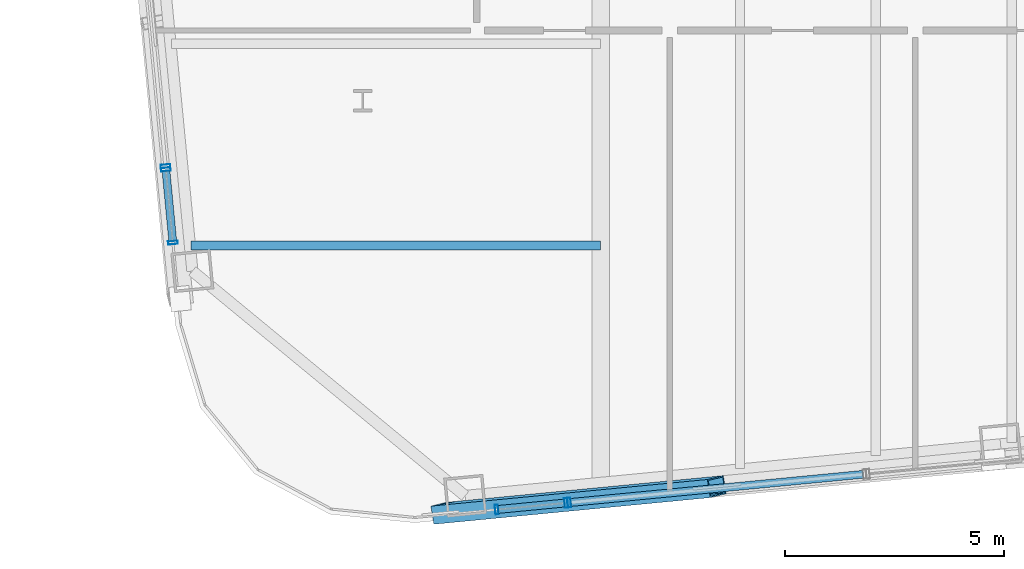
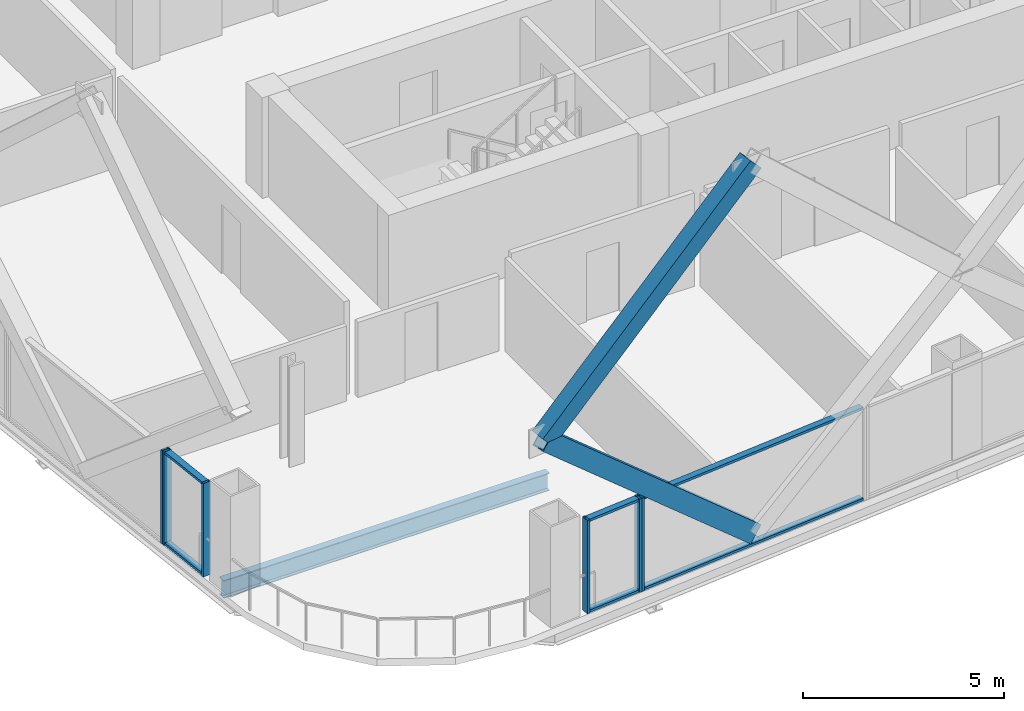
# One storey, part 2 of 32: 14 members, 1 beam, 4 elements without a shape of their own.
"""IFC4 building model written with IfcOpenShell, lengths in metres."""

from ifc_helpers import new_model, si_unit, direction, frame, origin, origin_2d, place, context, subcontext, project, spatial, hollow_rectangle, i_section, extrude, material, layer, layer_set, material_profile, profile_set, type_object, element, aggregate, save


model = new_model("IFC4")

# Units and contexts
model_context = context("Model", 3, precision=1e-05, world=origin(), true_north=direction((0.0, 1.0)))
body_context = subcontext(model_context, "Body", "Model", "MODEL_VIEW")
ifc_project = project(units=[si_unit("LENGTHUNIT", "METRE"), si_unit("AREAUNIT", "SQUARE_METRE"), si_unit("VOLUMEUNIT", "CUBIC_METRE"), si_unit("PLANEANGLEUNIT", "RADIAN"), si_unit("MASSUNIT", "GRAM", prefix="KILO")], contexts=[model_context])

# Site, building, storey
site_placement = place(None, origin())
site = spatial("IfcSite", under=ifc_project, at=site_placement, CompositionType="ELEMENT")
building_placement = place(site_placement, origin())
building = spatial("IfcBuilding", under=site, at=building_placement, Name="Qhalaya Broadcast Tower", CompositionType="ELEMENT")
storey_placement = place(building_placement, frame((0.0, 0.0, 81.64990234375)))
storey = spatial("IfcBuildingStorey", under=building, at=storey_placement, Name="L23", CompositionType="ELEMENT", Elevation=81.64990234375)

# Beam
ifc_material_1 = material(Name="Structural Steel ASTM A992 Grade 50", Category="steel")
ifc_material_profile_1 = material_profile(ifc_material_1, i_section(OverallWidth=0.2099609375, OverallDepth=0.535888671875, WebThickness=0.010986328125, FlangeThickness=0.017333984375, at=origin_2d()), Name="W21X68")
ifc_profile_set_1 = profile_set([ifc_material_profile_1], Name="Structural Steel ASTM A992 Grade 50")
beam_type = type_object("IfcBeamType", Name="Composite Floor Joist J02", PredefinedType="JOIST", material=ifc_profile_set_1)
beam_placement = place(storey_placement, frame((-18.7216796875, -16.5, -0.48779296875), z_axis=(1.0, 0.0, 0.0), x_axis=(0.0, 1.0, 0.0)))
element("IfcBeam", 1, at=beam_placement, inside=storey, type_object=beam_type, Name="L23 J02 L23-JWE1W-1", PredefinedType="JOIST", context=body_context, shape_type="SweptSolid", body=[
    extrude(i_section(OverallWidth=0.2099609375, OverallDepth=0.535888671875, WebThickness=0.010986328125, FlangeThickness=0.017333984375, at=origin_2d()), origin(), (0.0, 0.0, 1.0), 9.3466796875),
])

# Members
ifc_material_2 = material(Name="Structural Steel ASTM A572 Grade 50", Category="steel")
ifc_material_profile_2 = material_profile(ifc_material_2, hollow_rectangle(XDim=0.419921875, YDim=0.550048828125, WallThickness=0.028076171875, at=origin_2d()), Name="BOX 420x550x28")
ifc_profile_set_2 = profile_set([ifc_material_profile_2], Name="Structural Steel ASTM A572 Grade 50")
member_type_1 = type_object("IfcMemberType", Name="Exoskeleton Diamond Diagonal Mid-Low EX2", PredefinedType="BRACE", material=ifc_profile_set_2)
member_1_placement = place(storey_placement, frame((-6.725830078125, -22.00146484375, 0.360107421875), z_axis=(-0.758635580976, -0.073066636585, 0.647405067864), x_axis=(0.157193441444, -0.984862499798, 0.073048466507)))
element("IfcMember", 2, at=member_1_placement, inside=storey, type_object=member_type_1, Name="B2 Exoskeleton Diamond Brace S1-D1", PredefinedType="BRACE", context=body_context, shape_type="SweptSolid", body=[
    extrude(hollow_rectangle(XDim=0.419921875, YDim=0.550048828125, WallThickness=0.028076171875, at=origin_2d()), origin(), (0.0, 0.0, 1.0), 8.309814453125),
])
member_2_placement = place(storey_placement, frame((-13.030029296875, -22.608642578125, 5.739990234375), z_axis=(0.730618100613, 0.070368182799, 0.6791505797), x_axis=(-0.160222099068, 0.984570800026, 0.070350683768)))
element("IfcMember", 3, at=member_2_placement, inside=storey, type_object=member_type_1, Name="B2 Exoskeleton Diamond Brace S1-D3", PredefinedType="BRACE", context=body_context, shape_type="SweptSolid", body=[
    extrude(hollow_rectangle(XDim=0.419921875, YDim=0.550048828125, WallThickness=0.028076171875, at=origin_2d()), origin(), (0.0, 0.0, 1.0), 8.628662109375),
])

# Curtain wall, members
ifc_material_3 = material(Name="Solar-Control Low-E Triple Glazing", Category="glass")
ifc_layer_1 = layer(ifc_material_3, 0.219970703125, Name="Solar-Control Low-E Triple Glazing")
ifc_layer_set_1 = layer_set([ifc_layer_1], Name="Solar-Control Low-E Triple Glazing")
curtain_wall_type_1 = type_object("IfcCurtainWallType", Name="Even-Block 4-Storey Double-Module Curtain Wall CW-03", PredefinedType="NOTDEFINED", material=ifc_layer_set_1)
curtain_wall_1_placement = place(storey_placement, origin())
curtain_wall_1 = element("IfcCurtainWall", 4, at=curtain_wall_1_placement, inside=storey, type_object=curtain_wall_type_1, Name="L23 Unitised Curtain Wall L23-CW-S1", PredefinedType="NOTDEFINED")
ifc_material_4 = material(Name="Anodised Aluminium 6063-T6", Category="aluminium")
ifc_material_profile_3 = material_profile(ifc_material_4, hollow_rectangle(XDim=0.074951171875, YDim=0.219970703125, WallThickness=0.00390625, at=origin_2d()), Name="ALU-MUL 75x220x4")
ifc_profile_set_3 = profile_set([ifc_material_profile_3], Name="Anodised Aluminium 6063-T6")
member_type_2 = type_object("IfcMemberType", Name="Unitised Curtain-Wall Mullion M01", PredefinedType="MULLION", material=ifc_profile_set_3)
member_3_placement = place(storey_placement, frame((-11.74462890625, -22.52490234375, 0.0), z_axis=(0.0, 0.0, 1.0), x_axis=(0.995395680125, 0.095851134517, 0.0)))
member_3 = element("IfcMember", 5, at=member_3_placement, type_object=member_type_2, Name="CW-03 mullion 1", PredefinedType="MULLION", context=body_context, shape_type="SweptSolid", body=[
    extrude(hollow_rectangle(XDim=0.074951171875, YDim=0.219970703125, WallThickness=0.00390625, at=origin_2d()), origin(), (0.0, 0.0, 1.0), 2.830078125),
])
member_4_placement = place(storey_placement, frame((-10.1650390625, -22.372802734375, 0.0), z_axis=(0.0, 0.0, 1.0), x_axis=(0.995395680125, 0.095851134517, 0.0)))
member_4 = element("IfcMember", 6, at=member_4_placement, type_object=member_type_2, Name="CW-03 mullion 2", PredefinedType="MULLION", context=body_context, shape_type="SweptSolid", body=[
    extrude(hollow_rectangle(XDim=0.074951171875, YDim=0.219970703125, WallThickness=0.00390625, at=origin_2d()), origin(), (0.0, 0.0, 1.0), 2.830078125),
])

# Curtain wall, member
ifc_material_5 = material(Name="Fired Architectural Terracotta", Category="masonry")
ifc_layer_2 = layer(ifc_material_5, 0.219970703125, Name="Fired Architectural Terracotta")
ifc_layer_set_2 = layer_set([ifc_layer_2], Name="Fired Architectural Terracotta")
curtain_wall_type_2 = type_object("IfcCurtainWallType", Name="Block-Cap Unitised Terracotta Spandrel Wall CW-07", PredefinedType="NOTDEFINED", material=ifc_layer_set_2)
curtain_wall_2_placement = place(storey_placement, origin())
curtain_wall_2 = element("IfcCurtainWall", 7, at=curtain_wall_2_placement, inside=storey, type_object=curtain_wall_type_2, Name="L23 Unitised Curtain Wall L23-CW-S2", PredefinedType="NOTDEFINED")
member_5_placement = place(storey_placement, frame((-10.09033203125, -22.36572265625, 0.0), z_axis=(0.0, 0.0, 1.0), x_axis=(0.995395819861, 0.095849683373, 0.0)))
member_5 = element("IfcMember", 8, at=member_5_placement, type_object=member_type_2, Name="CW-07 mullion 1", PredefinedType="MULLION", context=body_context, shape_type="SweptSolid", body=[
    extrude(hollow_rectangle(XDim=0.074951171875, YDim=0.219970703125, WallThickness=0.00390625, at=origin_2d()), origin(), (0.0, 0.0, 1.0), 2.830078125),
])

curtain_wall_3_placement = place(storey_placement, origin())
curtain_wall_3 = element("IfcCurtainWall", 9, at=curtain_wall_3_placement, inside=storey, type_object=curtain_wall_type_2, Name="L23 Unitised Curtain Wall L23-CW-W6", PredefinedType="NOTDEFINED")
member_6_placement = place(storey_placement, frame((-19.297607421875, -14.693359375, 0.0), z_axis=(0.0, 0.0, 1.0), x_axis=(0.095857967914, -0.995395022083, 0.0)))
member_6 = element("IfcMember", 10, at=member_6_placement, type_object=member_type_2, Name="CW-07 mullion 2", PredefinedType="MULLION", context=body_context, shape_type="SweptSolid", body=[
    extrude(hollow_rectangle(XDim=0.074951171875, YDim=0.219970703125, WallThickness=0.00390625, at=origin_2d()), origin(), (0.0, 0.0, 1.0), 2.830078125),
])
aggregate(curtain_wall_3, [member_6])

# Curtain wall, members
curtain_wall_4_placement = place(storey_placement, origin())
curtain_wall_4 = element("IfcCurtainWall", 11, at=curtain_wall_4_placement, inside=storey, type_object=curtain_wall_type_1, Name="L23 Unitised Curtain Wall L23-CW-W7", PredefinedType="NOTDEFINED")
member_7_placement = place(storey_placement, frame((-19.290283203125, -14.767822265625, 0.0), z_axis=(0.0, 0.0, 1.0), x_axis=(0.095829861583, -0.995397728362, 0.0)))
member_7 = element("IfcMember", 12, at=member_7_placement, type_object=member_type_2, Name="CW-03 mullion 1", PredefinedType="MULLION", context=body_context, shape_type="SweptSolid", body=[
    extrude(hollow_rectangle(XDim=0.074951171875, YDim=0.219970703125, WallThickness=0.00390625, at=origin_2d()), origin(), (0.0, 0.0, 1.0), 2.830078125),
])
member_8_placement = place(storey_placement, frame((-19.129638671875, -16.437255859375, 0.0), z_axis=(0.0, 0.0, 1.0), x_axis=(0.095829861583, -0.995397728362, 0.0)))
member_8 = element("IfcMember", 13, at=member_8_placement, type_object=member_type_2, Name="CW-03 mullion 2", PredefinedType="MULLION", context=body_context, shape_type="SweptSolid", body=[
    extrude(hollow_rectangle(XDim=0.074951171875, YDim=0.219970703125, WallThickness=0.00390625, at=origin_2d()), origin(), (0.0, 0.0, 1.0), 2.830078125),
])

# Member
ifc_material_profile_4 = material_profile(ifc_material_4, hollow_rectangle(XDim=0.074951171875, YDim=0.179931640625, WallThickness=0.00390625, at=origin_2d()), Name="ALU-TRN 75x180x4")
ifc_profile_set_4 = profile_set([ifc_material_profile_4], Name="Anodised Aluminium 6063-T6")
member_type_3 = type_object("IfcMemberType", Name="Unitised Curtain-Wall Transom T01", PredefinedType="USERDEFINED", material=ifc_profile_set_4)
member_9_placement = place(storey_placement, frame((-11.707275390625, -22.521484375, 0.03759765625), z_axis=(0.995388888149, 0.09592164172, 0.0), x_axis=(0.0, 0.0, 1.0)))
member_9 = element("IfcMember", 14, at=member_9_placement, type_object=member_type_3, Name="CW-03 transom 1.1", ObjectType="TRANSOM", PredefinedType="USERDEFINED", context=body_context, shape_type="SweptSolid", body=[
    extrude(hollow_rectangle(XDim=0.074951171875, YDim=0.179931640625, WallThickness=0.00390625, at=origin_2d()), origin(), (0.0, 0.0, 1.0), 1.511962890625),
])

member_10_placement = place(storey_placement, frame((-11.707275390625, -22.521484375, 2.79248046875), z_axis=(0.995388888149, 0.09592164172, 0.0), x_axis=(0.0, 0.0, 1.0)))
member_10 = element("IfcMember", 15, at=member_10_placement, type_object=member_type_3, Name="CW-03 transom 1.2", ObjectType="TRANSOM", PredefinedType="USERDEFINED", context=body_context, shape_type="SweptSolid", body=[
    extrude(hollow_rectangle(XDim=0.074951171875, YDim=0.179931640625, WallThickness=0.00390625, at=origin_2d()), origin(), (0.0, 0.0, 1.0), 1.511962890625),
])

aggregate(curtain_wall_1, [member_3, member_4, member_9, member_10])

member_11_placement = place(storey_placement, frame((-10.052978515625, -22.362060546875, 0.03759765625), z_axis=(0.995398061946, 0.095826396538, 0.0), x_axis=(0.0, 0.0, 1.0)))
member_11 = element("IfcMember", 16, at=member_11_placement, type_object=member_type_3, Name="CW-07 transom 1.1", ObjectType="TRANSOM", PredefinedType="USERDEFINED", context=body_context, shape_type="SweptSolid", body=[
    extrude(hollow_rectangle(XDim=0.074951171875, YDim=0.179931640625, WallThickness=0.00390625, at=origin_2d()), origin(), (0.0, 0.0, 1.0), 6.69287109375),
])

member_12_placement = place(storey_placement, frame((-10.052978515625, -22.362060546875, 2.79248046875), z_axis=(0.995398061946, 0.095826396538, 0.0), x_axis=(0.0, 0.0, 1.0)))
member_12 = element("IfcMember", 17, at=member_12_placement, type_object=member_type_3, Name="CW-07 transom 1.2", ObjectType="TRANSOM", PredefinedType="USERDEFINED", context=body_context, shape_type="SweptSolid", body=[
    extrude(hollow_rectangle(XDim=0.074951171875, YDim=0.179931640625, WallThickness=0.00390625, at=origin_2d()), origin(), (0.0, 0.0, 1.0), 6.69287109375),
])

aggregate(curtain_wall_2, [member_5, member_11, member_12])

member_13_placement = place(storey_placement, frame((-19.28662109375, -14.80517578125, 0.03759765625), z_axis=(0.095700791732, -0.99541014585, 0.0), x_axis=(0.0, 0.0, 1.0)))
member_13 = element("IfcMember", 18, at=member_13_placement, type_object=member_type_3, Name="CW-03 transom 1.1", ObjectType="TRANSOM", PredefinedType="USERDEFINED", context=body_context, shape_type="SweptSolid", body=[
    extrude(hollow_rectangle(XDim=0.074951171875, YDim=0.179931640625, WallThickness=0.00390625, at=origin_2d()), origin(), (0.0, 0.0, 1.0), 1.60205078125),
])

member_14_placement = place(storey_placement, frame((-19.28662109375, -14.80517578125, 2.79248046875), z_axis=(0.095700791732, -0.99541014585, 0.0), x_axis=(0.0, 0.0, 1.0)))
member_14 = element("IfcMember", 19, at=member_14_placement, type_object=member_type_3, Name="CW-03 transom 1.2", ObjectType="TRANSOM", PredefinedType="USERDEFINED", context=body_context, shape_type="SweptSolid", body=[
    extrude(hollow_rectangle(XDim=0.074951171875, YDim=0.179931640625, WallThickness=0.00390625, at=origin_2d()), origin(), (0.0, 0.0, 1.0), 1.60205078125),
])

aggregate(curtain_wall_4, [member_7, member_8, member_13, member_14])

save(model, "model.ifc")
